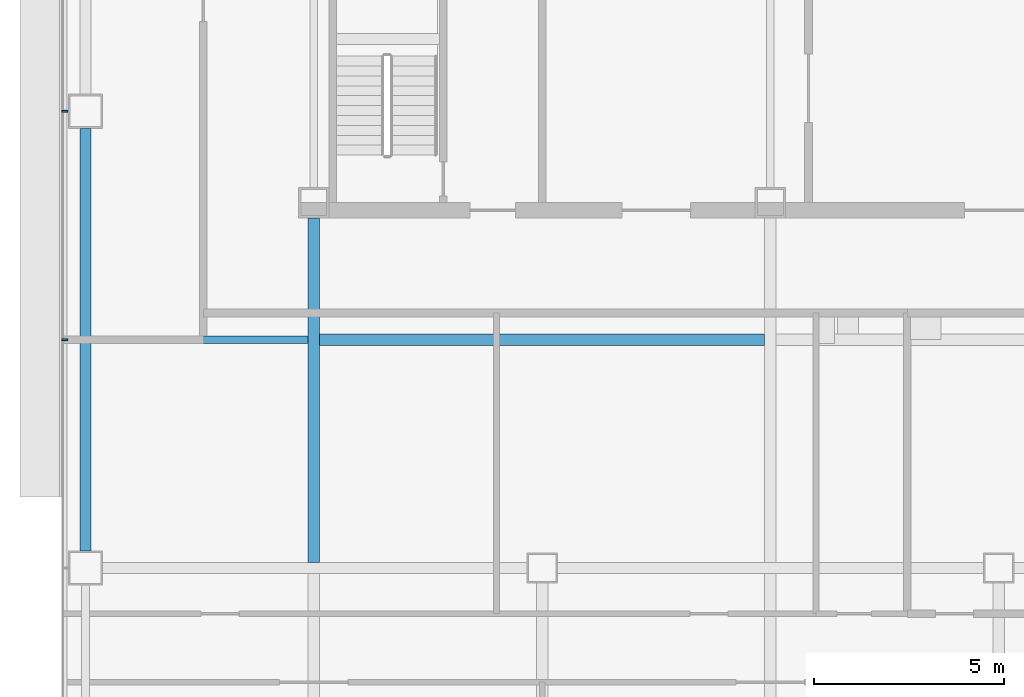
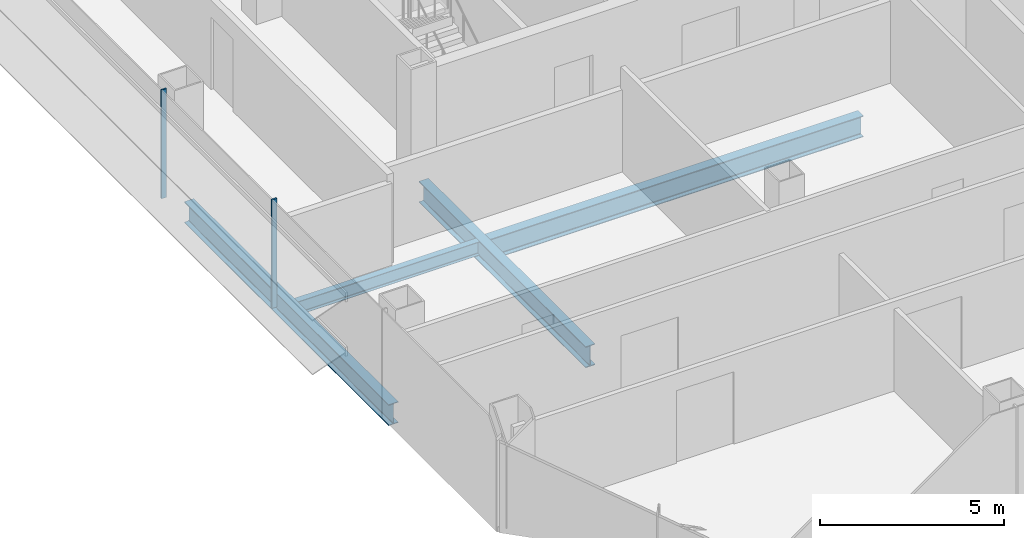
# One storey, part 4 of 26: 4 beams, 2 members, 1 element without a shape of its own.
"""IFC4 building model written with IfcOpenShell, lengths in metres."""

from ifc_helpers import new_model, si_unit, direction, frame, origin, origin_2d, place, context, subcontext, project, spatial, rectangle, i_section, extrude, material, material_profile, profile_set, type_object, element, aggregate, save


model = new_model("IFC4")

# Units and contexts
model_context = context("Model", 3, precision=1e-05, world=origin(), true_north=direction((0.0, 1.0)))
body_context = subcontext(model_context, "Body", "Model", "MODEL_VIEW")
ifc_project = project(units=[si_unit("LENGTHUNIT", "METRE"), si_unit("AREAUNIT", "SQUARE_METRE"), si_unit("VOLUMEUNIT", "CUBIC_METRE"), si_unit("PLANEANGLEUNIT", "RADIAN"), si_unit("MASSUNIT", "GRAM", prefix="KILO")], contexts=[model_context])

# Site, building, storey
site_placement = place(None, origin())
site = spatial("IfcSite", under=ifc_project, at=site_placement, CompositionType="ELEMENT")
building_placement = place(site_placement, origin())
building = spatial("IfcBuilding", under=site, at=building_placement, Name="Sorahane Residences", CompositionType="ELEMENT")
storey_placement = place(building_placement, frame((0.0, 0.0, 64.199951171875)))
storey = spatial("IfcBuildingStorey", under=building, at=storey_placement, Name="L12", CompositionType="ELEMENT", Elevation=64.199951171875)

# Curtain wall, members
ifc_material_1 = material(Name="Dark low-e glass and black anodised aluminium", Category="aluminium")
curtain_wall_type = type_object("IfcCurtainWallType", Name="Curtain wall CW-1 Typical unitised wall", PredefinedType="NOTDEFINED", material=ifc_material_1)
curtain_wall_placement = place(storey_placement, origin())
curtain_wall = element("IfcCurtainWall", 1, at=curtain_wall_placement, inside=storey, type_object=curtain_wall_type, Name="CW-1 curtain wall L12 W1", PredefinedType="NOTDEFINED")
ifc_material_2 = material(Name="Black anodised aluminium", Category="aluminium")
ifc_material_profile_1 = material_profile(ifc_material_2, rectangle(XDim=0.159912109375, YDim=0.050048828125, at=origin_2d()), Name="Curtain wall mullion CW-1 black anodised aluminium 50x160")
ifc_profile_set_1 = profile_set([ifc_material_profile_1], Name="Black anodised aluminium")
member_type = type_object("IfcMemberType", Name="Curtain wall mullion CW-1 black anodised aluminium 50x160", PredefinedType="MULLION", material=ifc_profile_set_1)
member_1_placement = place(storey_placement, frame((-0.5400390625, 24.0, -0.179931640625), z_axis=(0.0, 0.0, 1.0), x_axis=(-1.0, 0.0, 0.0)))
member_1 = element("IfcMember", 2, at=member_1_placement, type_object=member_type, Name="CW-1 mullion L12 W1.4", PredefinedType="MULLION", context=body_context, shape_type="SweptSolid", body=[
    extrude(rectangle(XDim=0.159912109375, YDim=0.050048828125, at=origin_2d()), origin(), (0.0, 0.0, 1.0), 3.60009765625),
])
member_2_placement = place(storey_placement, frame((-0.5400390625, 18.0, -0.179931640625), z_axis=(0.0, 0.0, 1.0), x_axis=(-1.0, 0.0, 0.0)))
member_2 = element("IfcMember", 3, at=member_2_placement, type_object=member_type, Name="CW-1 mullion L12 W1.5", PredefinedType="MULLION", context=body_context, shape_type="SweptSolid", body=[
    extrude(rectangle(XDim=0.159912109375, YDim=0.050048828125, at=origin_2d()), origin(), (0.0, 0.0, 1.0), 3.60009765625),
])
aggregate(curtain_wall, [member_1, member_2])

# Beams
ifc_material_3 = material(Name="Steel Q355B", Category="steel")
ifc_material_profile_2 = material_profile(ifc_material_3, i_section(OverallWidth=0.199951171875, OverallDepth=0.449951171875, WebThickness=0.009033203125, FlangeThickness=0.013916015625, FilletRadius=0.02001953125, at=origin_2d()), Name="HN 450x200x9x14")
ifc_profile_set_2 = profile_set([ifc_material_profile_2], Name="Steel Q355B")
beam_type_1 = type_object("IfcBeamType", Name="Steel floor beam HN 450x200x9x14 Q355B", PredefinedType="BEAM", material=ifc_profile_set_2)
beam_1_placement = place(storey_placement, frame((0.14990234375, 18.0, -0.405029296875), z_axis=(1.0, 0.0, 0.0), x_axis=(0.0, 1.0, 0.0)))
element("IfcBeam", 4, at=beam_1_placement, inside=storey, type_object=beam_type_1, Name="Beam L12 070", PredefinedType="BEAM", context=body_context, shape_type="SweptSolid", body=[
    extrude(i_section(OverallWidth=0.199951171875, OverallDepth=0.449951171875, WebThickness=0.009033203125, FlangeThickness=0.013916015625, FilletRadius=0.02001953125, at=origin_2d()), origin(), (0.0, 0.0, 1.0), 5.7001953125),
])
ifc_material_4 = material(Name="Steel Q355B", Category="steel")
ifc_material_profile_3 = material_profile(ifc_material_4, i_section(OverallWidth=0.300048828125, OverallDepth=0.699951171875, WebThickness=0.012939453125, FlangeThickness=0.02392578125, FilletRadius=0.028076171875, at=origin_2d()), Name="HN 700x300x13x24")
ifc_profile_set_3 = profile_set([ifc_material_profile_3], Name="Steel Q355B")
beam_type_2 = type_object("IfcBeamType", Name="Steel floor beam HN 700x300x13x24 Q355B", PredefinedType="BEAM", material=ifc_profile_set_3)
beam_2_placement = place(storey_placement, frame((0.0, 12.449951171875, -0.530029296875), z_axis=(0.0, 1.0, 0.0), x_axis=(-1.0, 0.0, 0.0)))
element("IfcBeam", 5, at=beam_2_placement, inside=storey, type_object=beam_type_2, Name="Beam L12 018", PredefinedType="BEAM", context=body_context, shape_type="SweptSolid", body=[
    extrude(i_section(OverallWidth=0.300048828125, OverallDepth=0.699951171875, WebThickness=0.012939453125, FlangeThickness=0.02392578125, FilletRadius=0.028076171875, at=origin_2d()), origin(), (0.0, 0.0, 1.0), 11.10009765625),
])
beam_3_placement = place(storey_placement, frame((6.0, 12.14990234375, -0.530029296875), z_axis=(0.0, 1.0, 0.0), x_axis=(-1.0, 0.0, 0.0)))
element("IfcBeam", 6, at=beam_3_placement, inside=storey, type_object=beam_type_2, Name="Beam L12 022", PredefinedType="BEAM", context=body_context, shape_type="SweptSolid", body=[
    extrude(i_section(OverallWidth=0.300048828125, OverallDepth=0.699951171875, WebThickness=0.012939453125, FlangeThickness=0.02392578125, FilletRadius=0.028076171875, at=origin_2d()), origin(), (0.0, 0.0, 1.0), 9.050048828125),
])
beam_4_placement = place(storey_placement, frame((6.14990234375, 18.0, -0.530029296875), z_axis=(1.0, 0.0, 0.0), x_axis=(0.0, 1.0, 0.0)))
element("IfcBeam", 7, at=beam_4_placement, inside=storey, type_object=beam_type_2, Name="Beam L12 071", PredefinedType="BEAM", context=body_context, shape_type="SweptSolid", body=[
    extrude(i_section(OverallWidth=0.300048828125, OverallDepth=0.699951171875, WebThickness=0.012939453125, FlangeThickness=0.02392578125, FilletRadius=0.028076171875, at=origin_2d()), origin(), (0.0, 0.0, 1.0), 11.7001953125),
])

save(model, "model.ifc")
